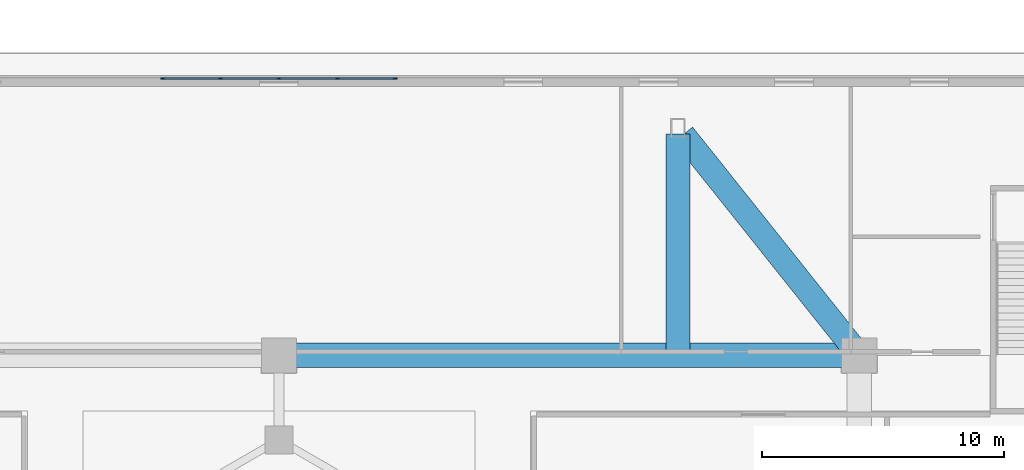
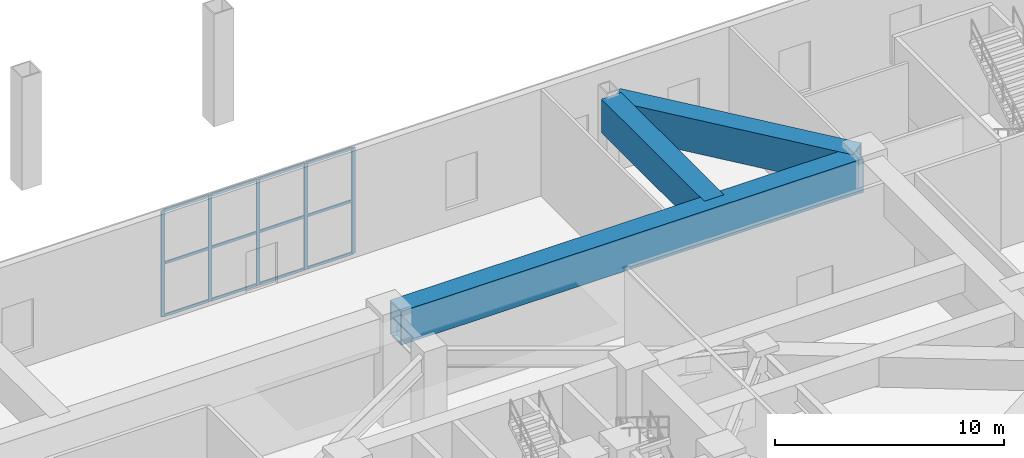
# One storey, part 8 of 25: 17 members, 3 beams, 1 element without a shape of its own.
"""IFC4 building model written with IfcOpenShell, lengths in metres."""

from ifc_helpers import new_model, si_unit, direction, frame, origin, origin_2d, place, context, subcontext, project, spatial, rectangle, hollow_rectangle, extrude, material, layer, layer_set, material_profile, profile_set, type_object, element, aggregate, save


model = new_model("IFC4")

# Units and contexts
model_context = context("Model", 3, precision=1e-05, world=origin(), true_north=direction((0.0, 1.0)))
body_context = subcontext(model_context, "Body", "Model", "MODEL_VIEW")
ifc_project = project(units=[si_unit("LENGTHUNIT", "METRE"), si_unit("AREAUNIT", "SQUARE_METRE"), si_unit("VOLUMEUNIT", "CUBIC_METRE"), si_unit("PLANEANGLEUNIT", "RADIAN"), si_unit("MASSUNIT", "GRAM", prefix="KILO")], contexts=[model_context])

# Site, building, storey
site_placement = place(None, origin())
site = spatial("IfcSite", under=ifc_project, at=site_placement, CompositionType="ELEMENT")
building_placement = place(site_placement, origin())
building = spatial("IfcBuilding", under=site, at=building_placement, Name="Apsidion Concourse Tower", CompositionType="ELEMENT")
storey_placement = place(building_placement, frame((0.0, 0.0, 11.5)))
storey = spatial("IfcBuildingStorey", under=building, at=storey_placement, Name="L02", CompositionType="ELEMENT", Elevation=11.5)

# Beams
ifc_material_1 = material(Name="Structural steel ASTM A572 Grade 50", Category="steel")
ifc_material_profile_1 = material_profile(ifc_material_1, hollow_rectangle(XDim=1.0, YDim=1.800048828125, WallThickness=0.080078125, at=origin_2d()), Name="BOX1800X1000X80")
ifc_profile_set_1 = profile_set([ifc_material_profile_1], Name="Structural steel ASTM A572 Grade 50")
beam_type = type_object("IfcBeamType", Name="BM-TR-1800", PredefinedType="USERDEFINED", material=ifc_profile_set_1)
beam_1_placement = place(storey_placement, frame((0.35009765625, 18.0, 4.800048828125), z_axis=(1.0, 0.0, 0.0), x_axis=(0.0, 1.0, 0.0)))
element("IfcBeam", 1, at=beam_1_placement, inside=storey, type_object=beam_type, Name="L02 Podium Transfer Collector Girder MC8-MC6", ObjectType="GIRDER", PredefinedType="USERDEFINED", context=body_context, shape_type="SweptSolid", body=[
    extrude(hollow_rectangle(XDim=1.0, YDim=1.800048828125, WallThickness=0.080078125, at=origin_2d()), origin(), (0.0, 0.0, 1.0), 23.2998046875),
])
beam_2_placement = place(storey_placement, frame((16.5, 27.14990234375, 4.800048828125), z_axis=(0.0, -1.0, 0.0), x_axis=(1.0, 0.0, 0.0)))
element("IfcBeam", 2, at=beam_2_placement, inside=storey, type_object=beam_type, Name="L02 Podium Radial Frame Girder PC12", ObjectType="GIRDER", PredefinedType="USERDEFINED", context=body_context, shape_type="SweptSolid", body=[
    extrude(hollow_rectangle(XDim=1.0, YDim=1.800048828125, WallThickness=0.080078125, at=origin_2d()), origin(), (0.0, 0.0, 1.0), 9.0),
])
beam_3_placement = place(storey_placement, frame((16.71826171875, 27.12646484375, 4.800048828125), z_axis=(0.623685030382, -0.781675753031, 0.0), x_axis=(0.781675753031, 0.623685030382, 0.0)))
element("IfcBeam", 3, at=beam_3_placement, inside=storey, type_object=beam_type, Name="L02 Podium Diagonal Frame Tie PC12", ObjectType="GIRDER", PredefinedType="USERDEFINED", context=body_context, shape_type="SweptSolid", body=[
    extrude(hollow_rectangle(XDim=1.0, YDim=1.800048828125, WallThickness=0.080078125, at=origin_2d()), origin(), (0.0, 0.0, 1.0), 11.325439453125),
])

# Curtain wall, members
ifc_material_2 = material(Name="Insulated laminated low-E glass", Category="glass")
ifc_layer = layer(ifc_material_2, 0.199951171875)
ifc_layer_set = layer_set([ifc_layer], Name="Insulated laminated low-E glass")
curtain_wall_type = type_object("IfcCurtainWallType", Name="CW-SYS-02", PredefinedType="NOTDEFINED", material=ifc_layer_set)
curtain_wall_placement = place(storey_placement, origin())
curtain_wall = element("IfcCurtainWall", 4, at=curtain_wall_placement, inside=storey, type_object=curtain_wall_type, Name="L02 Podium Glazed Curtain Wall N", PredefinedType="NOTDEFINED")
ifc_material_3 = material(Name="Anodised aluminium EN AW-6063 T6", Category="aluminium")
ifc_material_profile_2 = material_profile(ifc_material_3, rectangle(XDim=0.06494140625, YDim=0.179931640625, at=origin_2d()), Name="ALU MULLION 65x180")
ifc_profile_set_2 = profile_set([ifc_material_profile_2], Name="Anodised aluminium EN AW-6063 T6")
member_type_1 = type_object("IfcMemberType", Name="CWM-65X180", PredefinedType="MULLION", material=ifc_profile_set_2)
member_1_placement = place(storey_placement, frame((-4.803466796875, 29.43994140625, 0.0), z_axis=(0.0, 0.0, 1.0), x_axis=(0.0, 1.0, 0.0)))
member_1 = element("IfcMember", 5, at=member_1_placement, type_object=member_type_1, Name="CW-02 mullion 1", PredefinedType="MULLION", context=body_context, shape_type="SweptSolid", body=[
    extrude(rectangle(XDim=0.06494140625, YDim=0.179931640625, at=origin_2d()), origin(), (0.0, 0.0, 1.0), 5.64990234375),
])
member_2_placement = place(storey_placement, frame((-2.41796875, 29.43994140625, 0.0), z_axis=(0.0, 0.0, 1.0), x_axis=(0.0, 1.0, 0.0)))
member_2 = element("IfcMember", 6, at=member_2_placement, type_object=member_type_1, Name="CW-02 mullion 2", PredefinedType="MULLION", context=body_context, shape_type="SweptSolid", body=[
    extrude(rectangle(XDim=0.06494140625, YDim=0.179931640625, at=origin_2d()), origin(), (0.0, 0.0, 1.0), 5.64990234375),
])
member_3_placement = place(storey_placement, frame((0.0, 29.43994140625, 0.0), z_axis=(0.0, 0.0, 1.0), x_axis=(0.0, 1.0, 0.0)))
member_3 = element("IfcMember", 7, at=member_3_placement, type_object=member_type_1, Name="CW-02 mullion 3", PredefinedType="MULLION", context=body_context, shape_type="SweptSolid", body=[
    extrude(rectangle(XDim=0.06494140625, YDim=0.179931640625, at=origin_2d()), origin(), (0.0, 0.0, 1.0), 5.64990234375),
])
member_4_placement = place(storey_placement, frame((2.41796875, 29.43994140625, 0.0), z_axis=(0.0, 0.0, 1.0), x_axis=(0.0, 1.0, 0.0)))
member_4 = element("IfcMember", 8, at=member_4_placement, type_object=member_type_1, Name="CW-02 mullion 4", PredefinedType="MULLION", context=body_context, shape_type="SweptSolid", body=[
    extrude(rectangle(XDim=0.06494140625, YDim=0.179931640625, at=origin_2d()), origin(), (0.0, 0.0, 1.0), 5.64990234375),
])
member_5_placement = place(storey_placement, frame((4.803466796875, 29.43994140625, 0.0), z_axis=(0.0, 0.0, 1.0), x_axis=(0.0, 1.0, 0.0)))
member_5 = element("IfcMember", 9, at=member_5_placement, type_object=member_type_1, Name="CW-02 mullion 5", PredefinedType="MULLION", context=body_context, shape_type="SweptSolid", body=[
    extrude(rectangle(XDim=0.06494140625, YDim=0.179931640625, at=origin_2d()), origin(), (0.0, 0.0, 1.0), 5.64990234375),
])
ifc_material_profile_3 = material_profile(ifc_material_3, rectangle(XDim=0.06494140625, YDim=0.139892578125, at=origin_2d()), Name="ALU TRANSOM 65x140")
ifc_profile_set_3 = profile_set([ifc_material_profile_3], Name="Anodised aluminium EN AW-6063 T6")
member_type_2 = type_object("IfcMemberType", Name="CWT-65X140", PredefinedType="USERDEFINED", material=ifc_profile_set_3)
member_6_placement = place(storey_placement, frame((-4.77099609375, 29.43994140625, 0.032470703125), z_axis=(1.0, 0.0, 0.0), x_axis=(0.0, 1.0, 0.0)))
member_6 = element("IfcMember", 10, at=member_6_placement, type_object=member_type_2, Name="CW-02 transom 1.1", ObjectType="TRANSOM", PredefinedType="USERDEFINED", context=body_context, shape_type="SweptSolid", body=[
    extrude(rectangle(XDim=0.06494140625, YDim=0.139892578125, at=origin_2d()), origin(), (0.0, 0.0, 1.0), 2.320556640625),
])
member_7_placement = place(storey_placement, frame((-4.77099609375, 29.43994140625, 2.824951171875), z_axis=(1.0, 0.0, 0.0), x_axis=(0.0, 1.0, 0.0)))
member_7 = element("IfcMember", 11, at=member_7_placement, type_object=member_type_2, Name="CW-02 transom 1.2", ObjectType="TRANSOM", PredefinedType="USERDEFINED", context=body_context, shape_type="SweptSolid", body=[
    extrude(rectangle(XDim=0.06494140625, YDim=0.139892578125, at=origin_2d()), origin(), (0.0, 0.0, 1.0), 2.320556640625),
])
member_8_placement = place(storey_placement, frame((-4.77099609375, 29.43994140625, 5.617431640625), z_axis=(1.0, 0.0, 0.0), x_axis=(0.0, 1.0, 0.0)))
member_8 = element("IfcMember", 12, at=member_8_placement, type_object=member_type_2, Name="CW-02 transom 1.3", ObjectType="TRANSOM", PredefinedType="USERDEFINED", context=body_context, shape_type="SweptSolid", body=[
    extrude(rectangle(XDim=0.06494140625, YDim=0.139892578125, at=origin_2d()), origin(), (0.0, 0.0, 1.0), 2.320556640625),
])
member_9_placement = place(storey_placement, frame((-2.385498046875, 29.43994140625, 0.032470703125), z_axis=(1.0, 0.0, 0.0), x_axis=(0.0, 1.0, 0.0)))
member_9 = element("IfcMember", 13, at=member_9_placement, type_object=member_type_2, Name="CW-02 transom 2.1", ObjectType="TRANSOM", PredefinedType="USERDEFINED", context=body_context, shape_type="SweptSolid", body=[
    extrude(rectangle(XDim=0.06494140625, YDim=0.139892578125, at=origin_2d()), origin(), (0.0, 0.0, 1.0), 2.35302734375),
])
member_10_placement = place(storey_placement, frame((-2.385498046875, 29.43994140625, 2.824951171875), z_axis=(1.0, 0.0, 0.0), x_axis=(0.0, 1.0, 0.0)))
member_10 = element("IfcMember", 14, at=member_10_placement, type_object=member_type_2, Name="CW-02 transom 2.2", ObjectType="TRANSOM", PredefinedType="USERDEFINED", context=body_context, shape_type="SweptSolid", body=[
    extrude(rectangle(XDim=0.06494140625, YDim=0.139892578125, at=origin_2d()), origin(), (0.0, 0.0, 1.0), 2.35302734375),
])
member_11_placement = place(storey_placement, frame((-2.385498046875, 29.43994140625, 5.617431640625), z_axis=(1.0, 0.0, 0.0), x_axis=(0.0, 1.0, 0.0)))
member_11 = element("IfcMember", 15, at=member_11_placement, type_object=member_type_2, Name="CW-02 transom 2.3", ObjectType="TRANSOM", PredefinedType="USERDEFINED", context=body_context, shape_type="SweptSolid", body=[
    extrude(rectangle(XDim=0.06494140625, YDim=0.139892578125, at=origin_2d()), origin(), (0.0, 0.0, 1.0), 2.35302734375),
])
member_12_placement = place(storey_placement, frame((0.032470703125, 29.43994140625, 0.032470703125), z_axis=(1.0, 0.0, 0.0), x_axis=(0.0, 1.0, 0.0)))
member_12 = element("IfcMember", 16, at=member_12_placement, type_object=member_type_2, Name="CW-02 transom 3.1", ObjectType="TRANSOM", PredefinedType="USERDEFINED", context=body_context, shape_type="SweptSolid", body=[
    extrude(rectangle(XDim=0.06494140625, YDim=0.139892578125, at=origin_2d()), origin(), (0.0, 0.0, 1.0), 2.35302734375),
])
member_13_placement = place(storey_placement, frame((0.032470703125, 29.43994140625, 2.824951171875), z_axis=(1.0, 0.0, 0.0), x_axis=(0.0, 1.0, 0.0)))
member_13 = element("IfcMember", 17, at=member_13_placement, type_object=member_type_2, Name="CW-02 transom 3.2", ObjectType="TRANSOM", PredefinedType="USERDEFINED", context=body_context, shape_type="SweptSolid", body=[
    extrude(rectangle(XDim=0.06494140625, YDim=0.139892578125, at=origin_2d()), origin(), (0.0, 0.0, 1.0), 2.35302734375),
])
member_14_placement = place(storey_placement, frame((0.032470703125, 29.43994140625, 5.617431640625), z_axis=(1.0, 0.0, 0.0), x_axis=(0.0, 1.0, 0.0)))
member_14 = element("IfcMember", 18, at=member_14_placement, type_object=member_type_2, Name="CW-02 transom 3.3", ObjectType="TRANSOM", PredefinedType="USERDEFINED", context=body_context, shape_type="SweptSolid", body=[
    extrude(rectangle(XDim=0.06494140625, YDim=0.139892578125, at=origin_2d()), origin(), (0.0, 0.0, 1.0), 2.35302734375),
])
member_15_placement = place(storey_placement, frame((2.450439453125, 29.43994140625, 0.032470703125), z_axis=(1.0, 0.0, 0.0), x_axis=(0.0, 1.0, 0.0)))
member_15 = element("IfcMember", 19, at=member_15_placement, type_object=member_type_2, Name="CW-02 transom 4.1", ObjectType="TRANSOM", PredefinedType="USERDEFINED", context=body_context, shape_type="SweptSolid", body=[
    extrude(rectangle(XDim=0.06494140625, YDim=0.139892578125, at=origin_2d()), origin(), (0.0, 0.0, 1.0), 2.320556640625),
])
member_16_placement = place(storey_placement, frame((2.450439453125, 29.43994140625, 2.824951171875), z_axis=(1.0, 0.0, 0.0), x_axis=(0.0, 1.0, 0.0)))
member_16 = element("IfcMember", 20, at=member_16_placement, type_object=member_type_2, Name="CW-02 transom 4.2", ObjectType="TRANSOM", PredefinedType="USERDEFINED", context=body_context, shape_type="SweptSolid", body=[
    extrude(rectangle(XDim=0.06494140625, YDim=0.139892578125, at=origin_2d()), origin(), (0.0, 0.0, 1.0), 2.320556640625),
])
member_17_placement = place(storey_placement, frame((2.450439453125, 29.43994140625, 5.617431640625), z_axis=(1.0, 0.0, 0.0), x_axis=(0.0, 1.0, 0.0)))
member_17 = element("IfcMember", 21, at=member_17_placement, type_object=member_type_2, Name="CW-02 transom 4.3", ObjectType="TRANSOM", PredefinedType="USERDEFINED", context=body_context, shape_type="SweptSolid", body=[
    extrude(rectangle(XDim=0.06494140625, YDim=0.139892578125, at=origin_2d()), origin(), (0.0, 0.0, 1.0), 2.320556640625),
])
aggregate(curtain_wall, [member_1, member_2, member_3, member_4, member_5, member_6, member_7, member_8, member_9, member_10, member_11, member_12, member_13, member_14, member_15, member_16, member_17])

save(model, "model.ifc")
